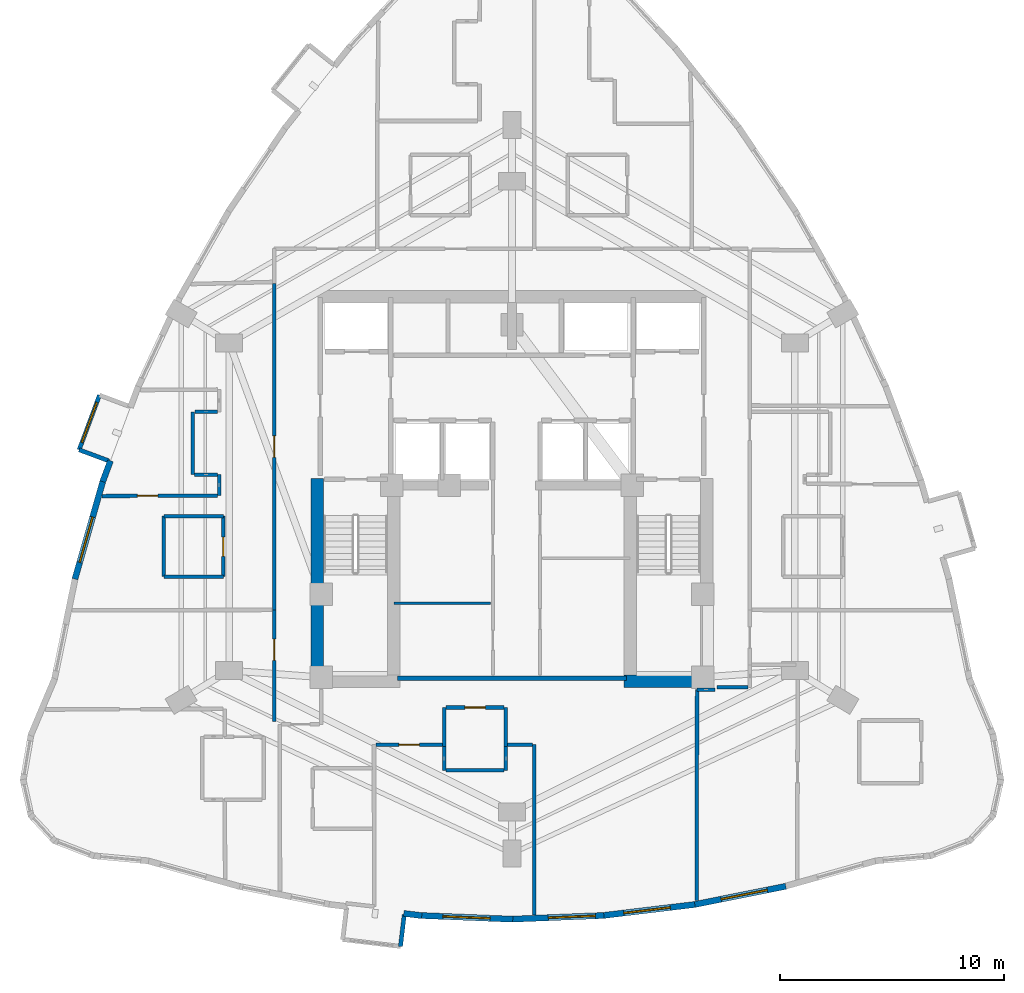
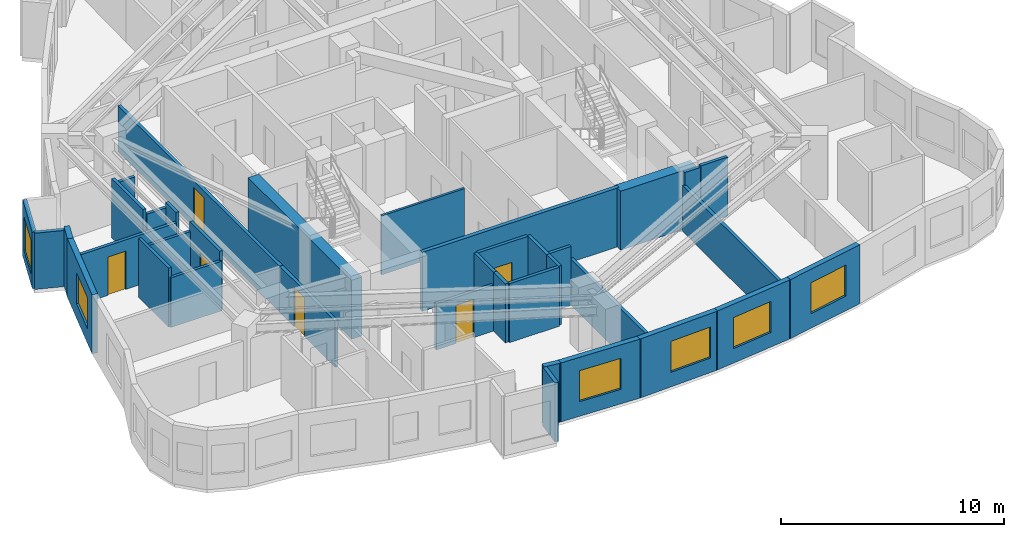
# One storey, part 9 of 14: 37 walls, 6 doors, 6 windows, 12 openings.
"""IFC4 building model written with IfcOpenShell, lengths in metres."""

from ifc_helpers import new_model, si_unit, direction, frame, frame_2d, origin, place, context, subcontext, project, spatial, rectangle, extrude, material, layer, layer_set, type_object, element, fill, save


model = new_model("IFC4")

# Units and contexts
model_context = context("Model", 3, precision=1e-05, world=origin(), true_north=direction((0.0, 1.0)))
body_context = subcontext(model_context, "Body", "Model", "MODEL_VIEW")
ifc_project = project(units=[si_unit("LENGTHUNIT", "METRE"), si_unit("AREAUNIT", "SQUARE_METRE"), si_unit("VOLUMEUNIT", "CUBIC_METRE"), si_unit("PLANEANGLEUNIT", "RADIAN"), si_unit("MASSUNIT", "GRAM", prefix="KILO")], contexts=[model_context])

# Site, building, storey
site_placement = place(None, origin())
site = spatial("IfcSite", under=ifc_project, at=site_placement, CompositionType="ELEMENT")
building_placement = place(site_placement, origin())
building = spatial("IfcBuilding", under=site, at=building_placement, Name="Miruveldt Soraemaru", CompositionType="ELEMENT")
storey_placement = place(building_placement, frame((0.0, 0.0, 131.89990234375)))
storey = spatial("IfcBuildingStorey", under=building, at=storey_placement, Name="L36", CompositionType="ELEMENT", Elevation=131.89990234375)

# Wall
ifc_material_1 = material(Name="White powder-coated aluminium EN AW-6060 T6", Category="aluminium")
ifc_layer_1 = layer(ifc_material_1, 0.18994140625, Name="White powder-coated aluminium EN AW-6060 T6", Category="aluminium")
ifc_layer_set_1 = layer_set([ifc_layer_1], Name="White powder-coated aluminium EN AW-6060 T6")
wall_type_1 = type_object("IfcWallType", Name="WALL-BAY-ALU190", PredefinedType="SOLIDWALL", material=ifc_layer_set_1)
wall_1_placement = place(storey_placement, frame((24.712646484375, 45.634521484375, 0.0), z_axis=(0.0, 0.0, 1.0), x_axis=(0.937129361406, -0.348982177182, 0.0)))
element("IfcWall", 1, at=wall_1_placement, inside=storey, type_object=wall_type_1, Name="L36 Bay Window Side Cheek 2R", PredefinedType="SOLIDWALL", context=body_context, shape_type="SweptSolid", body=[
    extrude(rectangle(XDim=1.425048828125, YDim=0.18994140625, at=frame_2d((0.71240234375, 0.0))), origin(), (0.0, 0.0, 1.0), 3.085205078125),
])

# Wall, opening, window
wall_2_placement = place(storey_placement, frame((25.6201171875, 48.071044921875, 0.0), z_axis=(0.0, 0.0, 1.0), x_axis=(-0.349023333144, -0.937114034107, 0.0)))
wall_2 = element("IfcWall", 2, at=wall_2_placement, inside=storey, type_object=wall_type_1, Name="L36 Bay Window Front Frame 2", PredefinedType="SOLIDWALL", context=body_context, shape_type="SweptSolid", body=[
    extrude(rectangle(XDim=2.60009765625, YDim=0.18994140625, at=frame_2d((1.300048828125, 0.0))), origin(), (0.0, 0.0, 1.0), 3.085205078125),
])
opening_1_placement = place(wall_2_placement, frame((0.35009765625, 0.0, 0.550048828125)))
opening_1 = element("IfcOpeningElement", 3, at=opening_1_placement, cuts=wall_2, Name="Opening WN-6", PredefinedType="OPENING", context=body_context, shape_type="SweptSolid", body=[
    extrude(rectangle(XDim=1.89990234375, YDim=1.85009765625, at=frame_2d((0.949951171875, 0.925048828125))), frame((0.0, 0.10498046875, 0.0), z_axis=(0.0, -1.0, 0.0), x_axis=(1.0, 0.0, 0.0)), (0.0, 0.0, 1.0), 0.2099609375),
])
ifc_material_2 = material(Name="Triple low-e insulated glazing", Category="glass")
window_type_1 = type_object("IfcWindowType", Name="WIN-BAYW-1900x1850", PartitioningType="SINGLE_PANEL", PredefinedType="WINDOW", material=ifc_material_2)
window_1_placement = place(opening_1_placement, origin())
window_1 = element("IfcWindow", 4, at=window_1_placement, inside=storey, type_object=window_type_1, Name="L36 Projecting Bay Window 2", OverallHeight=1.85009765625, OverallWidth=1.89990234375, PartitioningType="SINGLE_PANEL", PredefinedType="WINDOW", context=body_context, shape_type="SweptSolid", body=[
    extrude(rectangle(XDim=1.89990234375, YDim=1.85009765625, at=frame_2d((0.949951171875, 0.925048828125))), frame((0.0, 0.030029296875, 0.0), z_axis=(0.0, -1.0, 0.0), x_axis=(1.0, 0.0, 0.0)), (0.0, 0.0, 1.0), 0.06005859375),
])
fill(opening_1, window_1)

# Walls
wall_3_placement = place(storey_placement, frame((39.031494140625, 23.5029296875, 0.0), z_axis=(0.0, 0.0, 1.0), x_axis=(0.119246559468, 0.992864672579, 0.0)))
element("IfcWall", 5, at=wall_3_placement, inside=storey, type_object=wall_type_1, Name="L36 Bay Window Side Cheek 3R", PredefinedType="SOLIDWALL", context=body_context, shape_type="SweptSolid", body=[
    extrude(rectangle(XDim=1.425048828125, YDim=0.18994140625, at=frame_2d((0.71240234375, 0.0))), origin(), (0.0, 0.0, 1.0), 3.235107421875),
])
ifc_material_3 = material(Name="Concrete C70/85 (70 MPa)", Category="concrete")
ifc_layer_2 = layer(ifc_material_3, 0.550048828125, Name="Concrete C70/85 (70 MPa)", Category="concrete")
ifc_layer_set_2 = layer_set([ifc_layer_2], Name="Concrete C70/85 (70 MPa)")
wall_type_2 = type_object("IfcWallType", Name="WALL-CW-550", PredefinedType="SHEAR", material=ifc_layer_set_2)
wall_4_placement = place(storey_placement, frame((49.0, 35.324951171875, 0.0), z_axis=(0.0, 0.0, 1.0), x_axis=(1.0, 0.0, 0.0)))
element("IfcWall", 6, at=wall_4_placement, inside=storey, type_object=wall_type_2, Name="L36 Central Core Shear Wall S2", PredefinedType="SHEAR", context=body_context, shape_type="SweptSolid", body=[
    extrude(rectangle(XDim=3.949951171875, YDim=0.550048828125, at=frame_2d((1.97509765625, 0.0))), origin(), (0.0, 0.0, 1.0), 3.235107421875),
])
wall_5_placement = place(storey_placement, frame((35.324951171875, 35.050048828125, 0.0), z_axis=(0.0, 0.0, 1.0), x_axis=(0.0, 1.0, 0.0)))
element("IfcWall", 7, at=wall_5_placement, inside=storey, type_object=wall_type_2, Name="L36 Central Core Shear Wall W1", PredefinedType="SHEAR", context=body_context, shape_type="SweptSolid", body=[
    extrude(rectangle(XDim=9.300048828125, YDim=0.550048828125, at=frame_2d((4.64990234375, 0.0))), origin(), (0.0, 0.0, 1.0), 3.235107421875),
])
ifc_material_4 = material(Name="Precast concrete C45/55 (45 MPa)", Category="concrete")
ifc_layer_3 = layer(ifc_material_4, 0.27001953125, Name="Precast concrete C45/55 (45 MPa)", Category="concrete")
ifc_layer_set_3 = layer_set([ifc_layer_3], Name="Precast concrete C45/55 (45 MPa)")
wall_type_3 = type_object("IfcWallType", Name="WALL-EXT-PC270", PredefinedType="SOLIDWALL", material=ifc_layer_set_3)
wall_6_placement = place(storey_placement, frame((26.110107421875, 45.14599609375, 0.0), z_axis=(0.0, 0.0, 1.0), x_axis=(-0.349210573401, -0.937044276128, 0.0)))
element("IfcWall", 8, at=wall_6_placement, inside=storey, type_object=wall_type_3, Name="L36 Precast Pier Wall 12B", PredefinedType="SOLIDWALL", context=body_context, shape_type="SweptSolid", body=[
    extrude(rectangle(XDim=0.993408203125, YDim=0.27001953125, at=frame_2d((0.49658203125, 0.0))), origin(), (0.0, 0.0, 1.0), 3.235107421875),
])

# Wall, opening, window
wall_7_placement = place(storey_placement, frame((25.78515625, 44.281494140625, 0.0), z_axis=(0.0, 0.0, 1.0), x_axis=(-0.27498848087, -0.961447520871, 0.0)))
wall_7 = element("IfcWall", 9, at=wall_7_placement, inside=storey, type_object=wall_type_3, Name="L36 Precast Concrete Facade Wall 13", PredefinedType="SOLIDWALL", context=body_context, shape_type="SweptSolid", body=[
    extrude(rectangle(XDim=4.5830078125, YDim=0.27001953125, at=frame_2d((2.29150390625, 0.0))), origin(), (0.0, 0.0, 1.0), 3.235107421875),
])
opening_2_placement = place(wall_7_placement, frame((1.7080078125, 0.0, 0.800048828125)))
opening_2 = element("IfcOpeningElement", 10, at=opening_2_placement, cuts=wall_7, Name="Opening WN-1", PredefinedType="OPENING", context=body_context, shape_type="SweptSolid", body=[
    extrude(rectangle(XDim=2.10009765625, YDim=1.699951171875, at=frame_2d((1.050048828125, 0.85009765625))), frame((0.0, 0.14501953125, 0.0), z_axis=(0.0, -1.0, 0.0), x_axis=(1.0, 0.0, 0.0)), (0.0, 0.0, 1.0), 0.2900390625),
])
window_type_2 = type_object("IfcWindowType", Name="WIN-PUNCH-2100x1700", PartitioningType="SINGLE_PANEL", PredefinedType="WINDOW", material=ifc_material_2)
window_2_placement = place(opening_2_placement, origin())
window_2 = element("IfcWindow", 11, at=window_2_placement, inside=storey, type_object=window_type_2, Name="L36 Punched Triple-Glazed Window 13.1", OverallHeight=1.699951171875, OverallWidth=2.10009765625, PartitioningType="SINGLE_PANEL", PredefinedType="WINDOW", context=body_context, shape_type="SweptSolid", body=[
    extrude(rectangle(XDim=2.10009765625, YDim=1.699951171875, at=frame_2d((1.050048828125, 0.85009765625))), frame((0.0, 0.030029296875, 0.0), z_axis=(0.0, -1.0, 0.0), x_axis=(1.0, 0.0, 0.0)), (0.0, 0.0, 1.0), 0.06005859375),
])
fill(opening_2, window_2)

# Wall
wall_8_placement = place(storey_placement, frame((39.177978515625, 24.97607421875, 0.0), z_axis=(0.0, 0.0, 1.0), x_axis=(0.992875407362, -0.119157146056, 0.0)))
element("IfcWall", 12, at=wall_8_placement, inside=storey, type_object=wall_type_3, Name="L36 Precast Pier Wall 23B", PredefinedType="SOLIDWALL", context=body_context, shape_type="SweptSolid", body=[
    extrude(rectangle(XDim=0.807373046875, YDim=0.27001953125, at=frame_2d((0.40380859375, 0.0))), origin(), (0.0, 0.0, 1.0), 3.235107421875),
])

# Wall, opening, window
wall_9_placement = place(storey_placement, frame((39.909912109375, 24.885498046875, 0.0), z_axis=(0.0, 0.0, 1.0), x_axis=(0.999200580797, -0.039977485359, 0.0)))
wall_9 = element("IfcWall", 13, at=wall_9_placement, inside=storey, type_object=wall_type_3, Name="L36 Precast Concrete Facade Wall 24", PredefinedType="SOLIDWALL", context=body_context, shape_type="SweptSolid", body=[
    extrude(rectangle(XDim=4.12841796875, YDim=0.27001953125, at=frame_2d((2.064208984375, 0.0))), origin(), (0.0, 0.0, 1.0), 3.235107421875),
])
opening_3_placement = place(wall_9_placement, frame((1.013916015625, 0.0, 0.800048828125)))
opening_3 = element("IfcOpeningElement", 14, at=opening_3_placement, cuts=wall_9, Name="Opening WN-1", PredefinedType="OPENING", context=body_context, shape_type="SweptSolid", body=[
    extrude(rectangle(XDim=2.10009765625, YDim=1.699951171875, at=frame_2d((1.050048828125, 0.85009765625))), frame((0.0, 0.14501953125, 0.0), z_axis=(0.0, -1.0, 0.0), x_axis=(1.0, 0.0, 0.0)), (0.0, 0.0, 1.0), 0.2900390625),
])
window_3_placement = place(opening_3_placement, origin())
window_3 = element("IfcWindow", 15, at=window_3_placement, inside=storey, type_object=window_type_2, Name="L36 Punched Triple-Glazed Window 24.1", OverallHeight=1.699951171875, OverallWidth=2.10009765625, PartitioningType="SINGLE_PANEL", PredefinedType="WINDOW", context=body_context, shape_type="SweptSolid", body=[
    extrude(rectangle(XDim=2.10009765625, YDim=1.699951171875, at=frame_2d((1.050048828125, 0.85009765625))), frame((0.0, 0.030029296875, 0.0), z_axis=(0.0, -1.0, 0.0), x_axis=(1.0, 0.0, 0.0)), (0.0, 0.0, 1.0), 0.06005859375),
])
fill(opening_3, window_3)

wall_10_placement = place(storey_placement, frame((43.965087890625, 24.720458984375, 0.0), z_axis=(0.0, 0.0, 1.0), x_axis=(0.999200580797, 0.039977485359, 0.0)))
wall_10 = element("IfcWall", 16, at=wall_10_placement, inside=storey, type_object=wall_type_3, Name="L36 Precast Concrete Facade Wall 25", PredefinedType="SOLIDWALL", context=body_context, shape_type="SweptSolid", body=[
    extrude(rectangle(XDim=4.12841796875, YDim=0.27001953125, at=frame_2d((2.064208984375, 0.0))), origin(), (0.0, 0.0, 1.0), 3.235107421875),
])
opening_4_placement = place(wall_10_placement, frame((1.653076171875, 0.0, 0.800048828125)))
opening_4 = element("IfcOpeningElement", 17, at=opening_4_placement, cuts=wall_10, Name="Opening WN-1", PredefinedType="OPENING", context=body_context, shape_type="SweptSolid", body=[
    extrude(rectangle(XDim=2.10009765625, YDim=1.699951171875, at=frame_2d((1.050048828125, 0.85009765625))), frame((0.0, 0.14501953125, 0.0), z_axis=(0.0, -1.0, 0.0), x_axis=(1.0, 0.0, 0.0)), (0.0, 0.0, 1.0), 0.2900390625),
])
window_4_placement = place(opening_4_placement, origin())
window_4 = element("IfcWindow", 18, at=window_4_placement, inside=storey, type_object=window_type_2, Name="L36 Punched Triple-Glazed Window 25.1", OverallHeight=1.699951171875, OverallWidth=2.10009765625, PartitioningType="SINGLE_PANEL", PredefinedType="WINDOW", context=body_context, shape_type="SweptSolid", body=[
    extrude(rectangle(XDim=2.10009765625, YDim=1.699951171875, at=frame_2d((1.050048828125, 0.85009765625))), frame((0.0, 0.030029296875, 0.0), z_axis=(0.0, -1.0, 0.0), x_axis=(1.0, 0.0, 0.0)), (0.0, 0.0, 1.0), 0.06005859375),
])
fill(opening_4, window_4)

wall_11_placement = place(storey_placement, frame((48.0205078125, 24.8798828125, 0.0), z_axis=(0.0, 0.0, 1.0), x_axis=(0.992879619021, 0.119122047218, 0.0)))
wall_11 = element("IfcWall", 19, at=wall_11_placement, inside=storey, type_object=wall_type_3, Name="L36 Precast Concrete Facade Wall 26", PredefinedType="SOLIDWALL", context=body_context, shape_type="SweptSolid", body=[
    extrude(rectangle(XDim=4.154296875, YDim=0.27001953125, at=frame_2d((2.0771484375, 0.0))), origin(), (0.0, 0.0, 1.0), 3.235107421875),
])
opening_5_placement = place(wall_11_placement, frame((0.9599609375, 0.0, 0.800048828125)))
opening_5 = element("IfcOpeningElement", 20, at=opening_5_placement, cuts=wall_11, Name="Opening WN-1", PredefinedType="OPENING", context=body_context, shape_type="SweptSolid", body=[
    extrude(rectangle(XDim=2.10009765625, YDim=1.699951171875, at=frame_2d((1.050048828125, 0.85009765625))), frame((0.0, 0.14501953125, 0.0), z_axis=(0.0, -1.0, 0.0), x_axis=(1.0, 0.0, 0.0)), (0.0, 0.0, 1.0), 0.2900390625),
])
window_5_placement = place(opening_5_placement, origin())
window_5 = element("IfcWindow", 21, at=window_5_placement, inside=storey, type_object=window_type_2, Name="L36 Punched Triple-Glazed Window 26.1", OverallHeight=1.699951171875, OverallWidth=2.10009765625, PartitioningType="SINGLE_PANEL", PredefinedType="WINDOW", context=body_context, shape_type="SweptSolid", body=[
    extrude(rectangle(XDim=2.10009765625, YDim=1.699951171875, at=frame_2d((1.050048828125, 0.85009765625))), frame((0.0, 0.030029296875, 0.0), z_axis=(0.0, -1.0, 0.0), x_axis=(1.0, 0.0, 0.0)), (0.0, 0.0, 1.0), 0.06005859375),
])
fill(opening_5, window_5)

wall_12_placement = place(storey_placement, frame((52.076171875, 25.36376953125, 0.0), z_axis=(0.0, 0.0, 1.0), x_axis=(0.980571743457, 0.196160791021, 0.0)))
wall_12 = element("IfcWall", 22, at=wall_12_placement, inside=storey, type_object=wall_type_3, Name="L36 Precast Concrete Facade Wall 27", PredefinedType="SOLIDWALL", context=body_context, shape_type="SweptSolid", body=[
    extrude(rectangle(XDim=4.20556640625, YDim=0.27001953125, at=frame_2d((2.102783203125, 0.0))), origin(), (0.0, 0.0, 1.0), 3.235107421875),
])
opening_6_placement = place(wall_12_placement, frame((1.26611328125, 0.0, 0.800048828125)))
opening_6 = element("IfcOpeningElement", 23, at=opening_6_placement, cuts=wall_12, Name="Opening WN-1", PredefinedType="OPENING", context=body_context, shape_type="SweptSolid", body=[
    extrude(rectangle(XDim=2.10009765625, YDim=1.699951171875, at=frame_2d((1.050048828125, 0.85009765625))), frame((0.0, 0.14501953125, 0.0), z_axis=(0.0, -1.0, 0.0), x_axis=(1.0, 0.0, 0.0)), (0.0, 0.0, 1.0), 0.2900390625),
])
window_6_placement = place(opening_6_placement, origin())
window_6 = element("IfcWindow", 24, at=window_6_placement, inside=storey, type_object=window_type_2, Name="L36 Punched Triple-Glazed Window 27.1", OverallHeight=1.699951171875, OverallWidth=2.10009765625, PartitioningType="SINGLE_PANEL", PredefinedType="WINDOW", context=body_context, shape_type="SweptSolid", body=[
    extrude(rectangle(XDim=2.10009765625, YDim=1.699951171875, at=frame_2d((1.050048828125, 0.85009765625))), frame((0.0, 0.030029296875, 0.0), z_axis=(0.0, -1.0, 0.0), x_axis=(1.0, 0.0, 0.0)), (0.0, 0.0, 1.0), 0.06005859375),
])
fill(opening_6, window_6)

# Wall
ifc_material_5 = material(Name="Gypsum plasterboard lining", Category="gypsum")
ifc_layer_4 = layer(ifc_material_5, 0.1201171875, Name="Gypsum plasterboard lining", Category="gypsum")
ifc_layer_set_4 = layer_set([ifc_layer_4], Name="Gypsum plasterboard lining")
wall_type_4 = type_object("IfcWallType", Name="WALL-INT-P120", PredefinedType="PARTITIONING", material=ifc_layer_set_4)
wall_13_placement = place(storey_placement, frame((38.75, 38.800048828125, 0.0), z_axis=(0.0, 0.0, 1.0), x_axis=(1.0, 0.0, 0.0)))
element("IfcWall", 25, at=wall_13_placement, inside=storey, type_object=wall_type_4, Name="L36 Core Compartment Wall RL-W2H", PredefinedType="PARTITIONING", context=body_context, shape_type="SweptSolid", body=[
    extrude(rectangle(XDim=4.300048828125, YDim=0.1201171875, at=frame_2d((2.14990234375, 0.0))), origin(), (0.0, 0.0, 1.0), 3.235107421875),
])

# Wall, opening, door
ifc_layer_5 = layer(ifc_material_5, 0.14990234375, Name="Gypsum plasterboard lining", Category="gypsum")
ifc_layer_set_5 = layer_set([ifc_layer_5], Name="Gypsum plasterboard lining")
wall_type_5 = type_object("IfcWallType", Name="WALL-INT-PLUMB", PredefinedType="PLUMBINGWALL", material=ifc_layer_set_5)
wall_14_placement = place(storey_placement, frame((31.135009765625, 39.97998046875, 0.0), z_axis=(0.0, 0.0, 1.0), x_axis=(0.0, 1.0, 0.0)))
wall_14 = element("IfcWall", 26, at=wall_14_placement, inside=storey, type_object=wall_type_5, Name="L36 Partition Wall 38", PredefinedType="PLUMBINGWALL", context=body_context, shape_type="SweptSolid", body=[
    extrude(rectangle(XDim=2.699951171875, YDim=0.14990234375, at=frame_2d((1.35009765625, 0.0))), origin(), (0.0, 0.0, 1.0), 3.235107421875),
])
opening_7_placement = place(wall_14_placement, frame((0.909912109375, 0.0, 0.0)))
opening_7 = element("IfcOpeningElement", 27, at=opening_7_placement, cuts=wall_14, Name="Opening FD3", PredefinedType="OPENING", context=body_context, shape_type="SweptSolid", body=[
    extrude(rectangle(XDim=0.85009765625, YDim=2.10009765625, at=frame_2d((0.425048828125, 1.050048828125))), frame((0.0, 0.0849609375, 0.0), z_axis=(0.0, -1.0, 0.0), x_axis=(1.0, 0.0, 0.0)), (0.0, 0.0, 1.0), 0.169921875),
])
ifc_material_6 = material(Name="Anodised aluminium EN AW-6063 T6", Category="aluminium")
door_type_1 = type_object("IfcDoorType", Name="DOOR-FD3-850", OperationType="NOTDEFINED", PredefinedType="DOOR", material=ifc_material_6)
door_1_placement = place(opening_7_placement, origin())
door_1 = element("IfcDoor", 28, at=door_1_placement, inside=storey, type_object=door_type_1, Name="L36 Unit 3605 BTH Door", OperationType="SINGLE_SWING_RIGHT", OverallHeight=2.10009765625, OverallWidth=0.85009765625, PredefinedType="DOOR", context=body_context, shape_type="SweptSolid", body=[
    extrude(rectangle(XDim=0.85009765625, YDim=2.10009765625, at=frame_2d((0.425048828125, 1.050048828125))), frame((0.0, 0.02490234375, 0.0), z_axis=(0.0, -1.0, 0.0), x_axis=(1.0, 0.0, 0.0)), (0.0, 0.0, 1.0), 0.050048828125),
])
fill(opening_7, door_1)

# Walls
wall_15_placement = place(storey_placement, frame((28.485107421875, 42.679931640625, 0.0), z_axis=(0.0, 0.0, 1.0), x_axis=(0.0, -1.0, 0.0)))
element("IfcWall", 29, at=wall_15_placement, inside=storey, type_object=wall_type_5, Name="L36 Partition Wall 40", PredefinedType="PLUMBINGWALL", context=body_context, shape_type="SweptSolid", body=[
    extrude(rectangle(XDim=2.699951171875, YDim=0.14990234375, at=frame_2d((1.35009765625, 0.0))), origin(), (0.0, 0.0, 1.0), 3.235107421875),
])
for number, where, z_axis, x_axis, name in (
    (30, (31.135009765625, 42.679931640625, 0.0), (0.0, 0.0, 1.0), (-1.0, 0.0, 0.0), "L36 Partition Wall 39"),
    (31, (28.485107421875, 39.97998046875, 0.0), (0.0, 0.0, 1.0), (1.0, 0.0, 0.0), "L36 Partition Wall 41"),
):
    element("IfcWall", number, at=place(storey_placement, frame(where, z_axis=z_axis, x_axis=x_axis)), inside=storey, type_object=wall_type_5, Name=name, PredefinedType="PLUMBINGWALL", context=body_context, shape_type="SweptSolid", body=[
        extrude(rectangle(XDim=2.64990234375, YDim=0.14990234375, at=frame_2d((1.324951171875, 0.0))), origin(), (0.0, 0.0, 1.0), 2.72314453125),
    ])

# Wall, opening, door
ifc_material_7 = material(Name="Concrete C40/50 (40 MPa)", Category="concrete")
ifc_layer_6 = layer(ifc_material_7, 0.159912109375, Name="Concrete C40/50 (40 MPa)", Category="concrete")
ifc_layer_set_6 = layer_set([ifc_layer_6], Name="Concrete C40/50 (40 MPa)")
wall_type_6 = type_object("IfcWallType", Name="WALL-INT-RC160", PredefinedType="SOLIDWALL", material=ifc_layer_set_6)
wall_16_placement = place(storey_placement, frame((33.39990234375, 53.0458984375, 0.0), z_axis=(0.0, 0.0, 1.0), x_axis=(0.0, -1.0, 0.0)))
wall_16 = element("IfcWall", 32, at=wall_16_placement, inside=storey, type_object=wall_type_6, Name="L36 Partition Wall 6", PredefinedType="SOLIDWALL", context=body_context, shape_type="SweptSolid", body=[
    extrude(rectangle(XDim=14.5419921875, YDim=0.159912109375, at=frame_2d((7.27099609375, 0.0))), origin(), (0.0, 0.0, 1.0), 2.523193359375),
])
opening_8_placement = place(wall_16_placement, frame((6.7958984375, 0.0, 0.0)))
opening_8 = element("IfcOpeningElement", 33, at=opening_8_placement, cuts=wall_16, Name="Opening FD2", PredefinedType="OPENING", context=body_context, shape_type="SweptSolid", body=[
    extrude(rectangle(XDim=0.949951171875, YDim=2.14990234375, at=frame_2d((0.47509765625, 1.074951171875))), frame((0.0, 0.08984375, 0.0), z_axis=(0.0, -1.0, 0.0), x_axis=(1.0, 0.0, 0.0)), (0.0, 0.0, 1.0), 0.179931640625),
])
door_type_2 = type_object("IfcDoorType", Name="DOOR-FD2-950", OperationType="NOTDEFINED", PredefinedType="DOOR", material=ifc_material_6)
door_2_placement = place(opening_8_placement, origin())
door_2 = element("IfcDoor", 34, at=door_2_placement, inside=storey, type_object=door_type_2, Name="L36 Unit 3605 Entrance Fire Door", OperationType="SINGLE_SWING_LEFT", OverallHeight=2.14990234375, OverallWidth=0.949951171875, PredefinedType="DOOR", context=body_context, shape_type="SweptSolid", body=[
    extrude(rectangle(XDim=0.949951171875, YDim=2.14990234375, at=frame_2d((0.47509765625, 1.074951171875))), frame((0.0, 0.02490234375, 0.0), z_axis=(0.0, -1.0, 0.0), x_axis=(1.0, 0.0, 0.0)), (0.0, 0.0, 1.0), 0.050048828125),
])
fill(opening_8, door_2)

wall_17_placement = place(storey_placement, frame((30.8701171875, 43.593017578125, 0.0), z_axis=(0.0, 0.0, 1.0), x_axis=(-0.999993113267, -0.003711255785, 0.0)))
wall_17 = element("IfcWall", 35, at=wall_17_placement, inside=storey, type_object=wall_type_6, Name="L36 Partition Wall 48", PredefinedType="SOLIDWALL", context=body_context, shape_type="SweptSolid", body=[
    extrude(rectangle(XDim=5.131103515625, YDim=0.159912109375, at=frame_2d((2.5654296875, 0.0))), origin(), (0.0, 0.0, 1.0), 2.72314453125),
])
opening_9_placement = place(wall_17_placement, frame((2.64599609375, 0.0, 0.0)))
opening_9 = element("IfcOpeningElement", 36, at=opening_9_placement, cuts=wall_17, Name="Opening D3A", PredefinedType="OPENING", context=body_context, shape_type="SweptSolid", body=[
    extrude(rectangle(XDim=0.919921875, YDim=2.10009765625, at=frame_2d((0.4599609375, 1.050048828125))), frame((0.0, 0.08984375, 0.0), z_axis=(0.0, -1.0, 0.0), x_axis=(1.0, 0.0, 0.0)), (0.0, 0.0, 1.0), 0.179931640625),
])
door_type_3 = type_object("IfcDoorType", Name="DOOR-INT-920", OperationType="NOTDEFINED", PredefinedType="DOOR", material=ifc_material_6)
door_3_placement = place(opening_9_placement, origin())
door_3 = element("IfcDoor", 37, at=door_3_placement, inside=storey, type_object=door_type_3, Name="L36 Unit 3605 BD1 Door", OperationType="SINGLE_SWING_LEFT", OverallHeight=2.10009765625, OverallWidth=0.919921875, PredefinedType="DOOR", context=body_context, shape_type="SweptSolid", body=[
    extrude(rectangle(XDim=0.919921875, YDim=2.10009765625, at=frame_2d((0.4599609375, 1.050048828125))), frame((0.0, 0.02490234375, 0.0), z_axis=(0.0, -1.0, 0.0), x_axis=(1.0, 0.0, 0.0)), (0.0, 0.0, 1.0), 0.050048828125),
])
fill(opening_9, door_3)

wall_18_placement = place(storey_placement, frame((33.39990234375, 38.4970703125, 0.0), z_axis=(0.0, 0.0, 1.0), x_axis=(0.0, -1.0, 0.0)))
wall_18 = element("IfcWall", 38, at=wall_18_placement, inside=storey, type_object=wall_type_6, Name="L36 Partition Wall 8", PredefinedType="SOLIDWALL", context=body_context, shape_type="SweptSolid", body=[
    extrude(rectangle(XDim=4.97705078125, YDim=0.159912109375, at=frame_2d((2.488525390625, 0.0))), origin(), (0.0, 0.0, 1.0), 2.523193359375),
])
opening_10_placement = place(wall_18_placement, frame((1.29296875, 0.0, 0.0)))
opening_10 = element("IfcOpeningElement", 39, at=opening_10_placement, cuts=wall_18, Name="Opening FD2", PredefinedType="OPENING", context=body_context, shape_type="SweptSolid", body=[
    extrude(rectangle(XDim=0.949951171875, YDim=2.14990234375, at=frame_2d((0.47509765625, 1.074951171875))), frame((0.0, 0.08984375, 0.0), z_axis=(0.0, -1.0, 0.0), x_axis=(1.0, 0.0, 0.0)), (0.0, 0.0, 1.0), 0.179931640625),
])
door_4_placement = place(opening_10_placement, origin())
door_4 = element("IfcDoor", 40, at=door_4_placement, inside=storey, type_object=door_type_2, Name="L36 Unit 3607 Entrance Fire Door", OperationType="SINGLE_SWING_LEFT", OverallHeight=2.14990234375, OverallWidth=0.949951171875, PredefinedType="DOOR", context=body_context, shape_type="SweptSolid", body=[
    extrude(rectangle(XDim=0.949951171875, YDim=2.14990234375, at=frame_2d((0.47509765625, 1.074951171875))), frame((0.0, 0.02490234375, 0.0), z_axis=(0.0, -1.0, 0.0), x_axis=(1.0, 0.0, 0.0)), (0.0, 0.0, 1.0), 0.050048828125),
])
fill(opening_10, door_4)

wall_19_placement = place(storey_placement, frame((37.929931640625, 32.5, 0.0), z_axis=(0.0, 0.0, 1.0), x_axis=(1.0, 0.0, 0.0)))
wall_19 = element("IfcWall", 41, at=wall_19_placement, inside=storey, type_object=wall_type_6, Name="L36 Partition Wall 76", PredefinedType="SOLIDWALL", context=body_context, shape_type="SweptSolid", body=[
    extrude(rectangle(XDim=2.969970703125, YDim=0.159912109375, at=frame_2d((1.48486328125, 0.0))), origin(), (0.0, 0.0, 1.0), 2.523193359375),
])
opening_11_placement = place(wall_19_placement, frame((1.02490234375, 0.0, 0.0)))
opening_11 = element("IfcOpeningElement", 42, at=opening_11_placement, cuts=wall_19, Name="Opening D3A", PredefinedType="OPENING", context=body_context, shape_type="SweptSolid", body=[
    extrude(rectangle(XDim=0.919921875, YDim=2.10009765625, at=frame_2d((0.4599609375, 1.050048828125))), frame((0.0, 0.08984375, 0.0), z_axis=(0.0, -1.0, 0.0), x_axis=(1.0, 0.0, 0.0)), (0.0, 0.0, 1.0), 0.179931640625),
])
door_5_placement = place(opening_11_placement, origin())
door_5 = element("IfcDoor", 43, at=door_5_placement, inside=storey, type_object=door_type_3, Name="L36 Unit 3608 BD1 Door", OperationType="SINGLE_SWING_LEFT", OverallHeight=2.10009765625, OverallWidth=0.919921875, PredefinedType="DOOR", context=body_context, shape_type="SweptSolid", body=[
    extrude(rectangle(XDim=0.919921875, YDim=2.10009765625, at=frame_2d((0.4599609375, 1.050048828125))), frame((0.0, 0.02490234375, 0.0), z_axis=(0.0, -1.0, 0.0), x_axis=(1.0, 0.0, 0.0)), (0.0, 0.0, 1.0), 0.050048828125),
])
fill(opening_11, door_5)

wall_20_placement = place(storey_placement, frame((43.64990234375, 34.154052734375, 0.0), z_axis=(0.0, 0.0, 1.0), x_axis=(-1.0, 0.0, 0.0)))
wall_20 = element("IfcWall", 44, at=wall_20_placement, inside=storey, type_object=wall_type_6, Name="L36 Partition Wall 74", PredefinedType="SOLIDWALL", context=body_context, shape_type="SweptSolid", body=[
    extrude(rectangle(XDim=2.58984375, YDim=0.159912109375, at=frame_2d((1.294921875, 0.0))), origin(), (0.0, 0.0, 1.0), 3.235107421875),
])
opening_12_placement = place(wall_20_placement, frame((0.8349609375, 0.0, 0.0)))
opening_12 = element("IfcOpeningElement", 45, at=opening_12_placement, cuts=wall_20, Name="Opening D3A", PredefinedType="OPENING", context=body_context, shape_type="SweptSolid", body=[
    extrude(rectangle(XDim=0.919921875, YDim=2.10009765625, at=frame_2d((0.4599609375, 1.050048828125))), frame((0.0, 0.08984375, 0.0), z_axis=(0.0, -1.0, 0.0), x_axis=(1.0, 0.0, 0.0)), (0.0, 0.0, 1.0), 0.179931640625),
])
door_6_placement = place(opening_12_placement, origin())
door_6 = element("IfcDoor", 46, at=door_6_placement, inside=storey, type_object=door_type_3, Name="L36 Unit 3608 KIT Door", OperationType="SINGLE_SWING_RIGHT", OverallHeight=2.10009765625, OverallWidth=0.919921875, PredefinedType="DOOR", context=body_context, shape_type="SweptSolid", body=[
    extrude(rectangle(XDim=0.919921875, YDim=2.10009765625, at=frame_2d((0.4599609375, 1.050048828125))), frame((0.0, 0.02490234375, 0.0), z_axis=(0.0, -1.0, 0.0), x_axis=(1.0, 0.0, 0.0)), (0.0, 0.0, 1.0), 0.050048828125),
])
fill(opening_12, door_6)

# Walls
wall_21_placement = place(storey_placement, frame((52.23095703125, 25.548095703125, 0.0), z_axis=(0.0, 0.0, 1.0), x_axis=(0.001506100603, 0.99999886583, 0.0)))
element("IfcWall", 47, at=wall_21_placement, inside=storey, type_object=wall_type_6, Name="L36 Partition Wall 91", PredefinedType="SOLIDWALL", context=body_context, shape_type="SweptSolid", body=[
    extrude(rectangle(XDim=9.40185546875, YDim=0.159912109375, at=frame_2d((4.700927734375, 0.0))), origin(), (0.0, 0.0, 1.0), 2.523193359375),
])
wall_22_placement = place(storey_placement, frame((45.0, 32.5, 0.0), z_axis=(0.0, 0.0, 1.0), x_axis=(-0.000386100357, -0.999999925463, 0.0)))
element("IfcWall", 48, at=wall_22_placement, inside=storey, type_object=wall_type_6, Name="L36 Partition Wall 90", PredefinedType="SOLIDWALL", context=body_context, shape_type="SweptSolid", body=[
    extrude(rectangle(XDim=7.587890625, YDim=0.159912109375, at=frame_2d((3.7939453125, 0.0))), origin(), (0.0, 0.0, 1.0), 2.523193359375),
])
wall_23_placement = place(storey_placement, frame((29.784912109375, 47.330078125, 0.0), z_axis=(0.0, 0.0, 1.0), x_axis=(0.0, -1.0, 0.0)))
element("IfcWall", 49, at=wall_23_placement, inside=storey, type_object=wall_type_6, Name="L36 Partition Wall 45", PredefinedType="SOLIDWALL", context=body_context, shape_type="SweptSolid", body=[
    extrude(rectangle(XDim=2.800048828125, YDim=0.159912109375, at=frame_2d((1.39990234375, 0.0))), origin(), (0.0, 0.0, 1.0), 3.235107421875),
])
wall_24_placement = place(storey_placement, frame((41.06005859375, 31.35400390625, 0.0), z_axis=(0.0, 0.0, 1.0), x_axis=(1.0, 0.0, 0.0)))
element("IfcWall", 50, at=wall_24_placement, inside=storey, type_object=wall_type_6, Name="L36 Partition Wall 79", PredefinedType="SOLIDWALL", context=body_context, shape_type="SweptSolid", body=[
    extrude(rectangle(XDim=2.58984375, YDim=0.159912109375, at=frame_2d((1.294921875, 0.0))), origin(), (0.0, 0.0, 1.0), 3.235107421875),
])
for number, where, z_axis, x_axis, name in (
    (51, (43.72998046875, 32.409912109375, 0.0), (0.0, 0.0, 1.0), (0.0, 1.0, 0.0), "L36 Partition Wall 73"),
    (52, (40.97998046875, 34.154052734375, 0.0), (0.0, 0.0, 1.0), (0.0, -1.0, 0.0), "L36 Partition Wall 75"),
):
    element("IfcWall", number, at=place(storey_placement, frame(where, z_axis=z_axis, x_axis=x_axis)), inside=storey, type_object=wall_type_6, Name=name, PredefinedType="SOLIDWALL", context=body_context, shape_type="SweptSolid", body=[
        extrude(rectangle(XDim=1.744140625, YDim=0.159912109375, at=frame_2d((0.8720703125, 0.0))), origin(), (0.0, 0.0, 1.0), 3.235107421875),
    ])
wall_25_placement = place(storey_placement, frame((53.1298828125, 35.050048828125, 0.0), z_axis=(0.0, 0.0, 1.0), x_axis=(1.0, 0.0, 0.0)))
element("IfcWall", 53, at=wall_25_placement, inside=storey, type_object=wall_type_6, Name="L36 Partition Wall 12", PredefinedType="SOLIDWALL", context=body_context, shape_type="SweptSolid", body=[
    extrude(rectangle(XDim=1.39013671875, YDim=0.159912109375, at=frame_2d((0.695068359375, 0.0))), origin(), (0.0, 0.0, 1.0), 3.235107421875),
])
for number, where, z_axis, x_axis, name in (
    (54, (40.97998046875, 32.409912109375, 0.0), (0.0, 0.0, 1.0), (0.0, -1.0, 0.0), "L36 Partition Wall 78"),
    (55, (43.72998046875, 31.35400390625, 0.0), (0.0, 0.0, 1.0), (0.0, 1.0, 0.0), "L36 Partition Wall 80"),
):
    element("IfcWall", number, at=place(storey_placement, frame(where, z_axis=z_axis, x_axis=x_axis)), inside=storey, type_object=wall_type_6, Name=name, PredefinedType="SOLIDWALL", context=body_context, shape_type="SweptSolid", body=[
        extrude(rectangle(XDim=1.055908203125, YDim=0.159912109375, at=frame_2d((0.52783203125, 0.0))), origin(), (0.0, 0.0, 1.0), 3.235107421875),
    ])
wall_26_placement = place(storey_placement, frame((43.81005859375, 32.5, 0.0), z_axis=(0.0, 0.0, 1.0), x_axis=(1.0, 0.0, 0.0)))
element("IfcWall", 56, at=wall_26_placement, inside=storey, type_object=wall_type_6, Name="L36 Partition Wall 77", PredefinedType="SOLIDWALL", context=body_context, shape_type="SweptSolid", body=[
    extrude(rectangle(XDim=1.10986328125, YDim=0.159912109375, at=frame_2d((0.554931640625, 0.0))), origin(), (0.0, 0.0, 1.0), 3.235107421875),
])
for number, where, z_axis, x_axis, name in (
    (57, (30.8701171875, 47.330078125, 0.0), (0.0, 0.0, 1.0), (-1.0, 0.0, 0.0), "L36 Partition Wall 44"),
    (58, (29.864990234375, 44.530029296875, 0.0), (0.0, 0.0, 1.0), (1.0, 0.0, 0.0), "L36 Partition Wall 46"),
):
    element("IfcWall", number, at=place(storey_placement, frame(where, z_axis=z_axis, x_axis=x_axis)), inside=storey, type_object=wall_type_6, Name=name, PredefinedType="SOLIDWALL", context=body_context, shape_type="SweptSolid", body=[
        extrude(rectangle(XDim=1.005126953125, YDim=0.159912109375, at=frame_2d((0.50244140625, 0.0))), origin(), (0.0, 0.0, 1.0), 2.97314453125),
    ])
wall_27_placement = place(storey_placement, frame((30.949951171875, 44.530029296875, 0.0), z_axis=(0.0, 0.0, 1.0), x_axis=(0.0, -1.0, 0.0)))
element("IfcWall", 59, at=wall_27_placement, inside=storey, type_object=wall_type_6, Name="L36 Partition Wall 47", PredefinedType="SOLIDWALL", context=body_context, shape_type="SweptSolid", body=[
    extrude(rectangle(XDim=0.93701171875, YDim=0.159912109375, at=frame_2d((0.468505859375, 0.0))), origin(), (0.0, 0.0, 1.0), 3.235107421875),
])
wall_28_placement = place(storey_placement, frame((52.2451171875, 34.949951171875, 0.0), z_axis=(0.0, 0.0, 1.0), x_axis=(1.0, 0.0, 0.0)))
element("IfcWall", 60, at=wall_28_placement, inside=storey, type_object=wall_type_6, Name="L36 Partition Wall 92", PredefinedType="SOLIDWALL", context=body_context, shape_type="SweptSolid", body=[
    extrude(rectangle(XDim=0.804931640625, YDim=0.159912109375, at=frame_2d((0.40234375, 0.0))), origin(), (0.0, 0.0, 1.0), 3.235107421875),
])
ifc_layer_7 = layer(ifc_material_7, 0.199951171875, Name="Concrete C40/50 (40 MPa)", Category="concrete")
ifc_layer_set_7 = layer_set([ifc_layer_7], Name="Concrete C40/50 (40 MPa)")
wall_type_7 = type_object("IfcWallType", Name="WALL-INT-RC200", PredefinedType="SOLIDWALL", material=ifc_layer_set_7)
wall_29_placement = place(storey_placement, frame((38.89990234375, 35.449951171875, 0.0), z_axis=(0.0, 0.0, 1.0), x_axis=(1.0, 0.0, 0.0)))
element("IfcWall", 61, at=wall_29_placement, inside=storey, type_object=wall_type_7, Name="L36 Core Compartment Wall CS-S", PredefinedType="SOLIDWALL", context=body_context, shape_type="SweptSolid", body=[
    extrude(rectangle(XDim=10.2001953125, YDim=0.199951171875, at=frame_2d((5.10009765625, 0.0))), origin(), (0.0, 0.0, 1.0), 3.235107421875),
])

save(model, "model.ifc")
